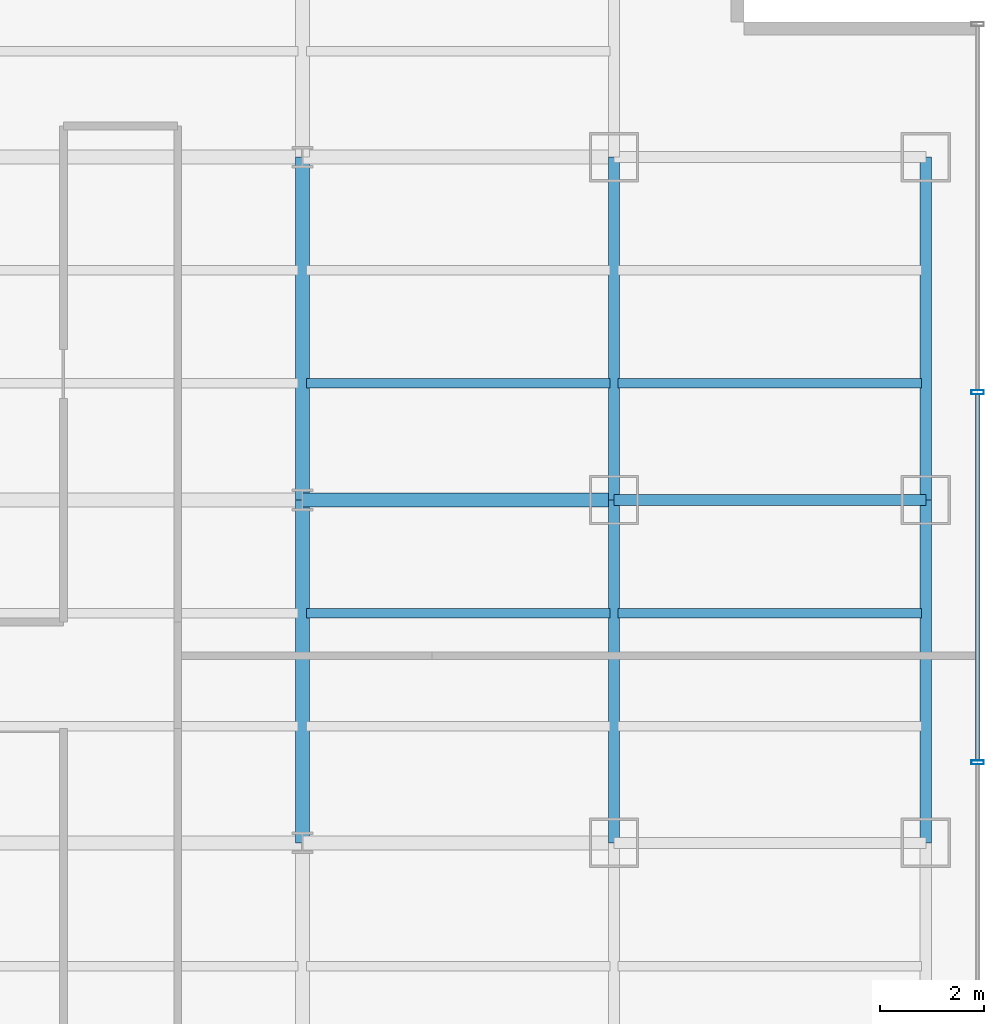
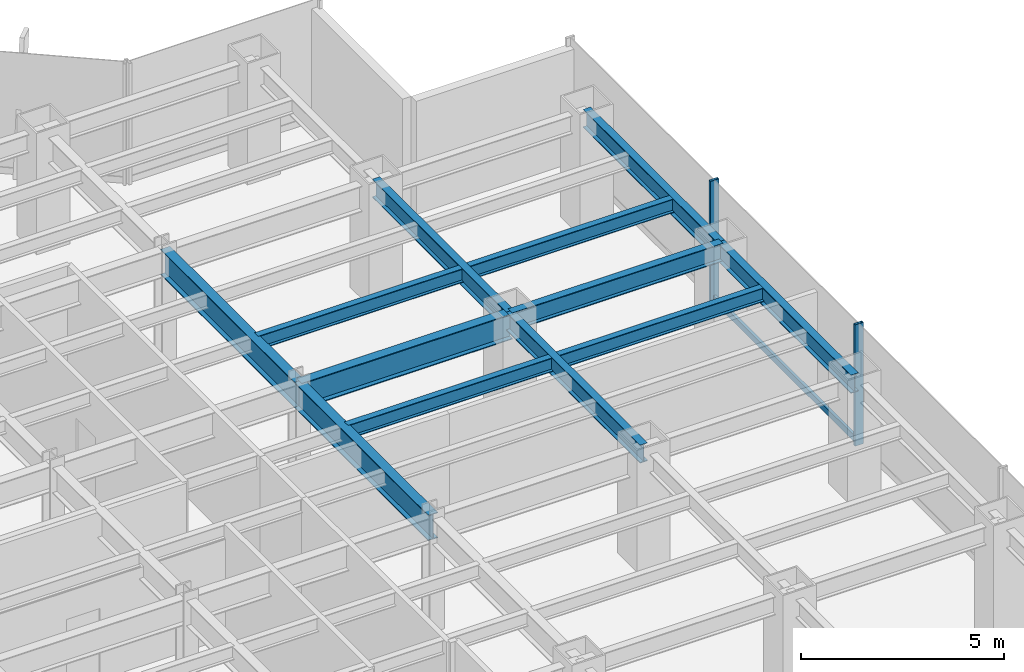
# One storey, part 9 of 22: 12 beams, 3 members, 1 element without a shape of its own.
"""IFC4 building model written with IfcOpenShell, lengths in metres."""

from ifc_helpers import new_model, si_unit, derived_unit, direction, frame, origin, origin_2d, place, context, subcontext, project, spatial, hollow_rectangle, i_section, extrude, source, transform, mapped, material, material_profile, profile_set, type_object, element, aggregate, save


model = new_model("IFC4")

# Units and contexts
model_context = context("Model", 3, precision=1e-05, world=origin(), true_north=direction((0.0, 1.0)))
body_context = subcontext(model_context, "Body", "Model", "MODEL_VIEW")
ifc_project = project(units=[si_unit("LENGTHUNIT", "METRE"), si_unit("AREAUNIT", "SQUARE_METRE"), si_unit("VOLUMEUNIT", "CUBIC_METRE"), si_unit("PLANEANGLEUNIT", "RADIAN"), si_unit("MASSUNIT", "GRAM", prefix="KILO"), derived_unit("THERMALTRANSMITTANCEUNIT", [(si_unit("POWERUNIT", "WATT"), 1), (si_unit("LENGTHUNIT", "METRE"), -2), (si_unit("THERMODYNAMICTEMPERATUREUNIT", "KELVIN"), -1)])], contexts=[model_context])

# Site, building, storey
site_placement = place(None, origin())
site = spatial("IfcSite", under=ifc_project, at=site_placement, CompositionType="ELEMENT")
building_placement = place(site_placement, origin())
building = spatial("IfcBuilding", under=site, at=building_placement, Name="Skarnbrae Concourse Arena and Tower", CompositionType="ELEMENT")
storey_placement = place(building_placement, frame((0.0, 0.0, 32.5)))
storey = spatial("IfcBuildingStorey", under=building, at=storey_placement, Name="L06", CompositionType="ELEMENT", Elevation=32.5)

# Beams
ifc_material_1 = material(Name="Steel CSA G40.21 350W", Category="steel")
ifc_material_profile_1 = material_profile(ifc_material_1, i_section(OverallWidth=0.214111328125, OverallDepth=0.549072265625, WebThickness=0.0146484375, FlangeThickness=0.023681640625, at=origin_2d()), Name="W530X138")
ifc_profile_set_1 = profile_set([ifc_material_profile_1], Name="Steel CSA G40.21 350W")
beam_type_1 = type_object("IfcBeamType", Name="BM-SPAN-W530X138", PredefinedType="SPANDREL", material=ifc_profile_set_1)
shared_shape_1 = source(origin(), body_context, "Body", "SweptSolid", [
    extrude(i_section(OverallWidth=0.214111328125, OverallDepth=0.549072265625, WebThickness=0.0146484375, FlangeThickness=0.023681640625, at=origin_2d()), origin(), (0.0, 0.0, 1.0), 6.0),
])
beam_1_placement = place(storey_placement, frame((55.0, 27.800048828125, 3.12548828125), z_axis=(1.0, 0.0, 0.0), x_axis=(0.0, 1.0, 0.0)))
element("IfcBeam", 1, at=beam_1_placement, inside=storey, type_object=beam_type_1, Name="L06 Perimeter spandrel Y27.8-9", PredefinedType="SPANDREL", context=body_context, shape_type="MappedRepresentation", body=[
    mapped(shared_shape_1, transform((0.0, 0.0, 0.0))),
])
ifc_material_profile_2 = material_profile(ifc_material_1, i_section(OverallWidth=0.26806640625, OverallDepth=0.77001953125, WebThickness=0.015625, FlangeThickness=0.025390625, at=origin_2d()), Name="W760X196")
ifc_profile_set_2 = profile_set([ifc_material_profile_2], Name="Steel CSA G40.21 350W")
beam_type_2 = type_object("IfcBeamType", Name="BM-GIRD-W760X196", PredefinedType="BEAM", material=ifc_profile_set_2)
shared_shape_2 = source(origin(), body_context, "Body", "SweptSolid", [
    extrude(i_section(OverallWidth=0.26806640625, OverallDepth=0.77001953125, WebThickness=0.015625, FlangeThickness=0.025390625, at=origin_2d()), origin(), (0.0, 0.0, 1.0), 6.60009765625),
])
beam_2_placement = place(storey_placement, frame((49.0, 21.199951171875, 3.014892578125), z_axis=(0.0, 1.0, 0.0), x_axis=(-1.0, 0.0, 0.0)))
element("IfcBeam", 2, at=beam_2_placement, inside=storey, type_object=beam_type_2, Name="L06 Primary N-S girder X49.0-3", PredefinedType="BEAM", context=body_context, shape_type="MappedRepresentation", body=[
    mapped(shared_shape_2, transform((0.0, 0.0, 0.0))),
])
shared_shape_3 = source(origin(), body_context, "Body", "SweptSolid", [
    extrude(i_section(OverallWidth=0.26806640625, OverallDepth=0.77001953125, WebThickness=0.015625, FlangeThickness=0.025390625, at=origin_2d()), origin(), (0.0, 0.0, 1.0), 6.0),
])
beam_3_placement = place(storey_placement, frame((49.0, 27.800048828125, 3.014892578125), z_axis=(1.0, 0.0, 0.0), x_axis=(0.0, 1.0, 0.0)))
element("IfcBeam", 3, at=beam_3_placement, inside=storey, type_object=beam_type_2, Name="L06 Primary E-W girder Y27.8-8", PredefinedType="BEAM", context=body_context, shape_type="MappedRepresentation", body=[
    mapped(shared_shape_3, transform((0.0, 0.0, 0.0))),
])
shared_shape_4 = source(origin(), body_context, "Body", "SweptSolid", [
    extrude(i_section(OverallWidth=0.214111328125, OverallDepth=0.549072265625, WebThickness=0.0146484375, FlangeThickness=0.023681640625, at=origin_2d()), origin(), (0.0, 0.0, 1.0), 6.60009765625),
])
for number, where, z_axis, x_axis, name in (
    (4, (55.0, 21.199951171875, 3.12548828125), (0.0, 1.0, 0.0), (-1.0, 0.0, 0.0), "L06 Perimeter spandrel X55.0-3"),
    (5, (61.0, 21.199951171875, 3.12548828125), (0.0, 1.0, 0.0), (-1.0, 0.0, 0.0), "L06 Perimeter spandrel X61.0-3"),
):
    element("IfcBeam", number, at=place(storey_placement, frame(where, z_axis=z_axis, x_axis=x_axis)), inside=storey, type_object=beam_type_1, Name=name, PredefinedType="SPANDREL", context=body_context, shape_type="MappedRepresentation", body=[
        mapped(shared_shape_4, transform((0.0, 0.0, 0.0))),
    ])
shared_shape_5 = source(origin(), body_context, "Body", "SweptSolid", [
    extrude(i_section(OverallWidth=0.214111328125, OverallDepth=0.549072265625, WebThickness=0.0146484375, FlangeThickness=0.023681640625, at=origin_2d()), origin(), (0.0, 0.0, 1.0), 6.599853515625),
])
for number, where, z_axis, x_axis, name in (
    (6, (55.0, 27.800048828125, 3.12548828125), (0.0, 1.0, 0.0), (-1.0, 0.0, 0.0), "L06 Perimeter spandrel X55.0-4"),
    (7, (61.0, 27.800048828125, 3.12548828125), (0.0, 1.0, 0.0), (-1.0, 0.0, 0.0), "L06 Perimeter spandrel X61.0-4"),
):
    element("IfcBeam", number, at=place(storey_placement, frame(where, z_axis=z_axis, x_axis=x_axis)), inside=storey, type_object=beam_type_1, Name=name, PredefinedType="SPANDREL", context=body_context, shape_type="MappedRepresentation", body=[
        mapped(shared_shape_5, transform((0.0, 0.0, 0.0))),
    ])
shared_shape_6 = source(origin(), body_context, "Body", "SweptSolid", [
    extrude(i_section(OverallWidth=0.26806640625, OverallDepth=0.77001953125, WebThickness=0.015625, FlangeThickness=0.025390625, at=origin_2d()), origin(), (0.0, 0.0, 1.0), 6.599853515625),
])
beam_4_placement = place(storey_placement, frame((49.0, 27.800048828125, 3.014892578125), z_axis=(0.0, 1.0, 0.0), x_axis=(-1.0, 0.0, 0.0)))
element("IfcBeam", 8, at=beam_4_placement, inside=storey, type_object=beam_type_2, Name="L06 Primary N-S girder X49.0-4", PredefinedType="BEAM", context=body_context, shape_type="MappedRepresentation", body=[
    mapped(shared_shape_6, transform((0.0, 0.0, 0.0))),
])
ifc_material_profile_3 = material_profile(ifc_material_1, i_section(OverallWidth=0.180908203125, OverallDepth=0.4169921875, WebThickness=0.010986328125, FlangeThickness=0.018310546875, at=origin_2d()), Name="W410X85")
ifc_profile_set_3 = profile_set([ifc_material_profile_3], Name="Steel CSA G40.21 350W")
beam_type_3 = type_object("IfcBeamType", Name="BM-JOIST-W410X85", PredefinedType="JOIST", material=ifc_profile_set_3)
shared_shape_7 = source(origin(), body_context, "Body", "SweptSolid", [
    extrude(i_section(OverallWidth=0.180908203125, OverallDepth=0.4169921875, WebThickness=0.010986328125, FlangeThickness=0.018310546875, at=origin_2d()), origin(), (0.0, 0.0, 1.0), 5.83984375),
])
for number, where, z_axis, x_axis, name in (
    (9, (49.080078125, 25.6220703125, 3.19140625), (1.0, 0.0, 0.0), (0.0, 1.0, 0.0), "L06 Secondary floor joist 2.2.8"),
    (10, (55.080078125, 25.6220703125, 3.19140625), (1.0, 0.0, 0.0), (0.0, 1.0, 0.0), "L06 Secondary floor joist 2.2.9"),
    (11, (49.080078125, 30.0439453125, 3.19140625), (1.0, 0.0, 0.0), (0.0, 1.0, 0.0), "L06 Secondary floor joist 3.1.8"),
    (12, (55.080078125, 30.0439453125, 3.19140625), (1.0, 0.0, 0.0), (0.0, 1.0, 0.0), "L06 Secondary floor joist 3.1.9"),
):
    element("IfcBeam", number, at=place(storey_placement, frame(where, z_axis=z_axis, x_axis=x_axis)), inside=storey, type_object=beam_type_3, Name=name, PredefinedType="JOIST", context=body_context, shape_type="MappedRepresentation", body=[
        mapped(shared_shape_7, transform((0.0, 0.0, 0.0))),
    ])

# Curtain wall, members
ifc_material_2 = material(Name="Bronze anodised aluminium 6063-T6", Category="aluminium")
curtain_wall_type = type_object("IfcCurtainWallType", Name="CW-SYS-02-LOWZONE", PredefinedType="USERDEFINED", material=ifc_material_2)
curtain_wall_placement = place(storey_placement, origin())
curtain_wall = element("IfcCurtainWall", 13, at=curtain_wall_placement, inside=storey, type_object=curtain_wall_type, Name="L06 Unitised curtain wall CW-L06-E04", ObjectType="UNITISED CURTAIN WALL", PredefinedType="USERDEFINED")
ifc_material_profile_4 = material_profile(ifc_material_2, hollow_rectangle(XDim=0.080078125, YDim=0.239990234375, WallThickness=0.0048828125, at=origin_2d()), Name="ALU-MULL-80X240")
ifc_profile_set_4 = profile_set([ifc_material_profile_4], Name="Bronze anodised aluminium 6063-T6")
member_type_1 = type_object("IfcMemberType", Name="CWM-CW-02", PredefinedType="MULLION", material=ifc_profile_set_4)
shared_shape_8 = source(origin(), body_context, "Body", "SweptSolid", [
    extrude(hollow_rectangle(XDim=0.080078125, YDim=0.239990234375, WallThickness=0.0048828125, at=origin_2d()), origin(), (0.0, 0.0, 1.0), 3.64990234375),
])
member_1_placement = place(storey_placement, frame((62.0, 22.75, 0.0), z_axis=(0.0, 0.0, 1.0), x_axis=(0.0, 1.0, 0.0)))
member_1 = element("IfcMember", 14, at=member_1_placement, type_object=member_type_1, Name="CW-L06-E04 Mullion 3", PredefinedType="MULLION", context=body_context, shape_type="MappedRepresentation", body=[
    mapped(shared_shape_8, transform((0.0, 0.0, 0.0))),
])
member_2_placement = place(storey_placement, frame((62.0, 29.875, 0.0), z_axis=(0.0, 0.0, 1.0), x_axis=(0.0, 1.0, 0.0)))
member_2 = element("IfcMember", 15, at=member_2_placement, type_object=member_type_1, Name="CW-L06-E04 Mullion 4", PredefinedType="MULLION", context=body_context, shape_type="MappedRepresentation", body=[
    mapped(shared_shape_8, transform((0.0, 0.0, 0.0))),
])
ifc_material_profile_5 = material_profile(ifc_material_2, hollow_rectangle(XDim=0.080078125, YDim=0.18994140625, WallThickness=0.0048828125, at=origin_2d()), Name="ALU-TRAN-80X190")
ifc_profile_set_5 = profile_set([ifc_material_profile_5], Name="Bronze anodised aluminium 6063-T6")
member_type_2 = type_object("IfcMemberType", Name="CWT-CW-02", PredefinedType="USERDEFINED", material=ifc_profile_set_5)
shared_shape_9 = source(origin(), body_context, "Body", "SweptSolid", [
    extrude(hollow_rectangle(XDim=0.080078125, YDim=0.18994140625, WallThickness=0.0048828125, at=origin_2d()), origin(), (0.0, 0.0, 1.0), 7.044921875),
])
member_3_placement = place(storey_placement, frame((62.0, 22.7900390625, 0.094970703125), z_axis=(0.0, 1.0, 0.0), x_axis=(-1.0, 0.0, 0.0)))
member_3 = element("IfcMember", 16, at=member_3_placement, type_object=member_type_2, Name="CW-L06-E04 Transom 3", ObjectType="TRANSOM", PredefinedType="USERDEFINED", context=body_context, shape_type="MappedRepresentation", body=[
    mapped(shared_shape_9, transform((0.0, 0.0, 0.0))),
])
aggregate(curtain_wall, [member_1, member_2, member_3])

save(model, "model.ifc")
